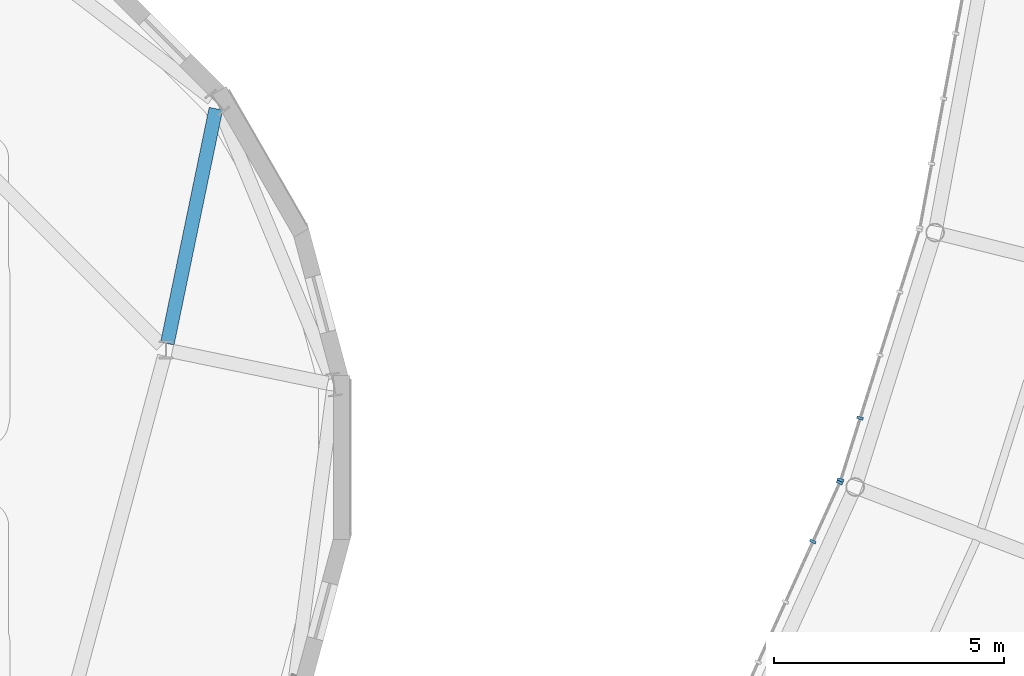
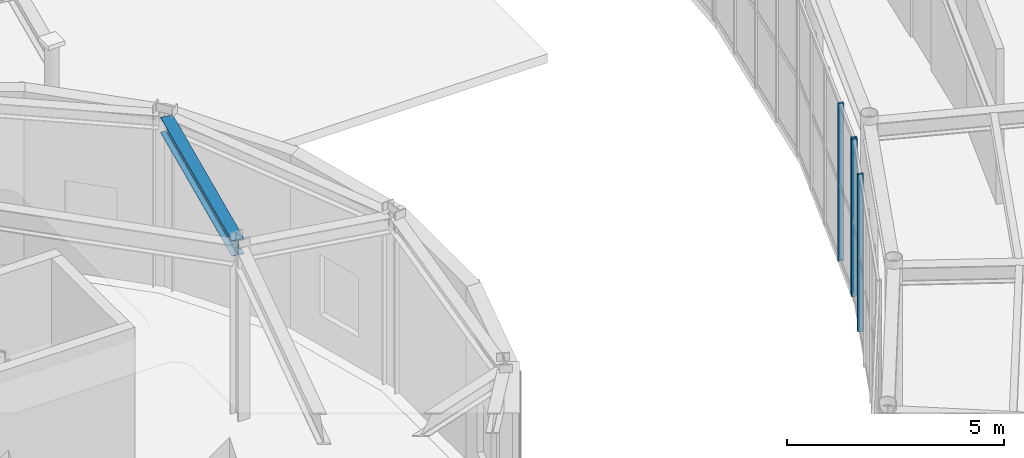
# One storey, part 34 of 97: 4 members, 1 beam, 2 elements without a shape of their own.
"""IFC4 building model written with IfcOpenShell, lengths in metres."""

from ifc_helpers import new_model, si_unit, direction, frame, origin, origin_2d, place, context, subcontext, project, spatial, rectangle, i_section, extrude, material, material_profile, profile_set, type_object, element, aggregate, save


model = new_model("IFC4")

# Units and contexts
model_context = context("Model", 3, precision=1e-05, world=origin(), true_north=direction((0.0, 1.0)))
body_context = subcontext(model_context, "Body", "Model", "MODEL_VIEW")
ifc_project = project(units=[si_unit("LENGTHUNIT", "METRE"), si_unit("AREAUNIT", "SQUARE_METRE"), si_unit("VOLUMEUNIT", "CUBIC_METRE"), si_unit("PLANEANGLEUNIT", "RADIAN"), si_unit("MASSUNIT", "GRAM", prefix="KILO")], contexts=[model_context])

# Site, building, storey
site_placement = place(None, origin())
site = spatial("IfcSite", under=ifc_project, at=site_placement, CompositionType="ELEMENT")
building_placement = place(site_placement, origin())
building = spatial("IfcBuilding", under=site, at=building_placement, Name="Varnklinge Art Gallery", CompositionType="ELEMENT")
storey_placement = place(building_placement, origin())
storey = spatial("IfcBuildingStorey", under=building, at=storey_placement, Name="L00", CompositionType="ELEMENT", Elevation=0.0)

# Beam
ifc_material_1 = material(Name="Steel S355", Category="steel")
ifc_material_profile_1 = material_profile(ifc_material_1, i_section(OverallWidth=0.300048828125, OverallDepth=0.43994140625, WebThickness=0.011474609375, FlangeThickness=0.02099609375, FilletRadius=0.027099609375, at=origin_2d()), Name="HEA 450")
ifc_profile_set_1 = profile_set([ifc_material_profile_1], Name="Steel S355")
beam_type = type_object("IfcBeamType", Name="BM-08", PredefinedType="BEAM", material=ifc_profile_set_1)
beam_placement = place(storey_placement, frame((84.608154296875, 41.070068359375, 4.659912109375), z_axis=(0.202556149381, 0.979270650202, 0.0), x_axis=(-0.979270650202, 0.202556149381, 0.0)))
element("IfcBeam", 1, at=beam_placement, inside=storey, type_object=beam_type, Name="L00 BM-08 BM-V4D-L01-R02", PredefinedType="BEAM", context=body_context, shape_type="SweptSolid", body=[
    extrude(i_section(OverallWidth=0.300048828125, OverallDepth=0.43994140625, WebThickness=0.011474609375, FlangeThickness=0.02099609375, FilletRadius=0.027099609375, at=origin_2d()), origin(), (0.0, 0.0, 1.0), 5.223876953125),
])

# Curtain wall, members
ifc_material_2 = material(Name="Anodised Aluminium", Category="aluminium")
curtain_wall_type = type_object("IfcCurtainWallType", Name="CW-R03", PredefinedType="USERDEFINED", material=ifc_material_2)
curtain_wall_1_placement = place(storey_placement, origin())
curtain_wall_1 = element("IfcCurtainWall", 2, at=curtain_wall_1_placement, inside=storey, type_object=curtain_wall_type, Name="L00 Curtain Wall CW-V2I-L00-03", ObjectType="UNITISED CURTAIN WALL", PredefinedType="USERDEFINED")
ifc_material_3 = material(Name="Anodised Aluminium", Category="aluminium")
ifc_material_profile_2 = material_profile(ifc_material_3, rectangle(XDim=0.06005859375, YDim=0.139892578125, at=origin_2d()), Name="ALU 60x140")
ifc_profile_set_2 = profile_set([ifc_material_profile_2], Name="Anodised Aluminium")
member_type = type_object("IfcMemberType", Name="MUL-03", PredefinedType="MULLION", material=ifc_profile_set_2)
member_1_placement = place(storey_placement, frame((99.251953125, 38.043212890625, 0.0), z_axis=(0.0, 0.0, 1.0), x_axis=(-0.413422293217, -0.910539404678, 0.0)))
member_1 = element("IfcMember", 3, at=member_1_placement, type_object=member_type, Name="CW-V2I-L00-03 Mullion 1", PredefinedType="MULLION", context=body_context, shape_type="SweptSolid", body=[
    extrude(rectangle(XDim=0.06005859375, YDim=0.139892578125, at=origin_2d()), origin(), (0.0, 0.0, 1.0), 4.429931640625),
])
member_2_placement = place(storey_placement, frame((98.66845703125, 36.757568359375, 0.0), z_axis=(0.0, 0.0, 1.0), x_axis=(-0.413422293217, -0.910539404678, 0.0)))
member_2 = element("IfcMember", 4, at=member_2_placement, type_object=member_type, Name="CW-V2I-L00-03 Mullion 2", PredefinedType="MULLION", context=body_context, shape_type="SweptSolid", body=[
    extrude(rectangle(XDim=0.06005859375, YDim=0.139892578125, at=origin_2d()), origin(), (0.0, 0.0, 1.0), 4.429931640625),
])
aggregate(curtain_wall_1, [member_1, member_2])

curtain_wall_2_placement = place(storey_placement, origin())
curtain_wall_2 = element("IfcCurtainWall", 5, at=curtain_wall_2_placement, inside=storey, type_object=curtain_wall_type, Name="L00 Curtain Wall CW-V2I-L00-04", ObjectType="UNITISED CURTAIN WALL", PredefinedType="USERDEFINED")
member_3_placement = place(storey_placement, frame((99.696533203125, 39.44580078125, 0.0), z_axis=(0.0, 0.0, 1.0), x_axis=(-0.299706904751, -0.954031326134, 0.0)))
member_3 = element("IfcMember", 6, at=member_3_placement, type_object=member_type, Name="CW-V2I-L00-04 Mullion 4", PredefinedType="MULLION", context=body_context, shape_type="SweptSolid", body=[
    extrude(rectangle(XDim=0.06005859375, YDim=0.139892578125, at=origin_2d()), origin(), (0.0, 0.0, 1.0), 4.429931640625),
])
member_4_placement = place(storey_placement, frame((99.2734375, 38.09912109375, 0.0), z_axis=(0.0, 0.0, 1.0), x_axis=(-0.299706904751, -0.954031326134, 0.0)))
member_4 = element("IfcMember", 7, at=member_4_placement, type_object=member_type, Name="CW-V2I-L00-04 Mullion 5", PredefinedType="MULLION", context=body_context, shape_type="SweptSolid", body=[
    extrude(rectangle(XDim=0.06005859375, YDim=0.139892578125, at=origin_2d()), origin(), (0.0, 0.0, 1.0), 4.429931640625),
])
aggregate(curtain_wall_2, [member_3, member_4])

save(model, "model.ifc")
